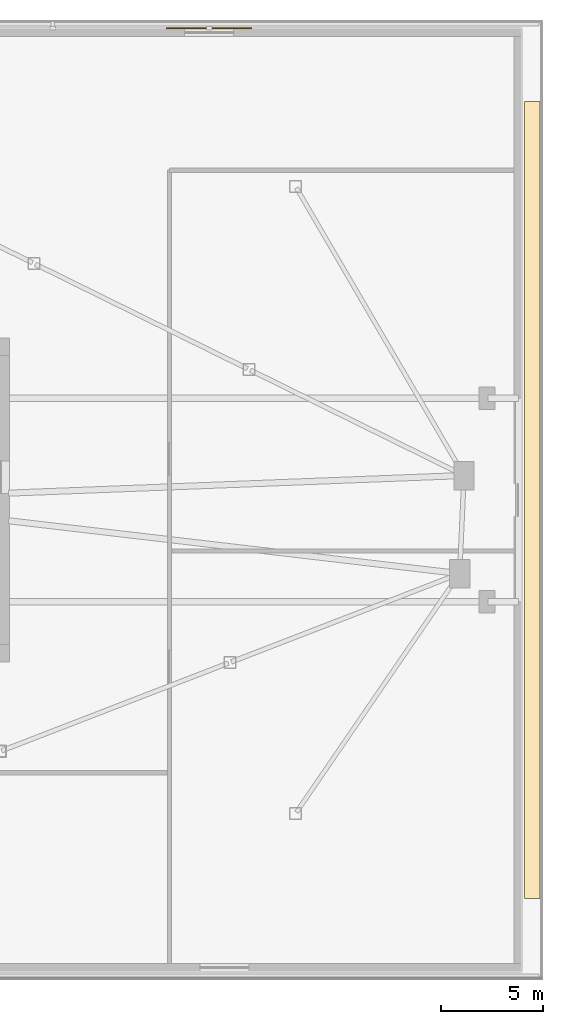
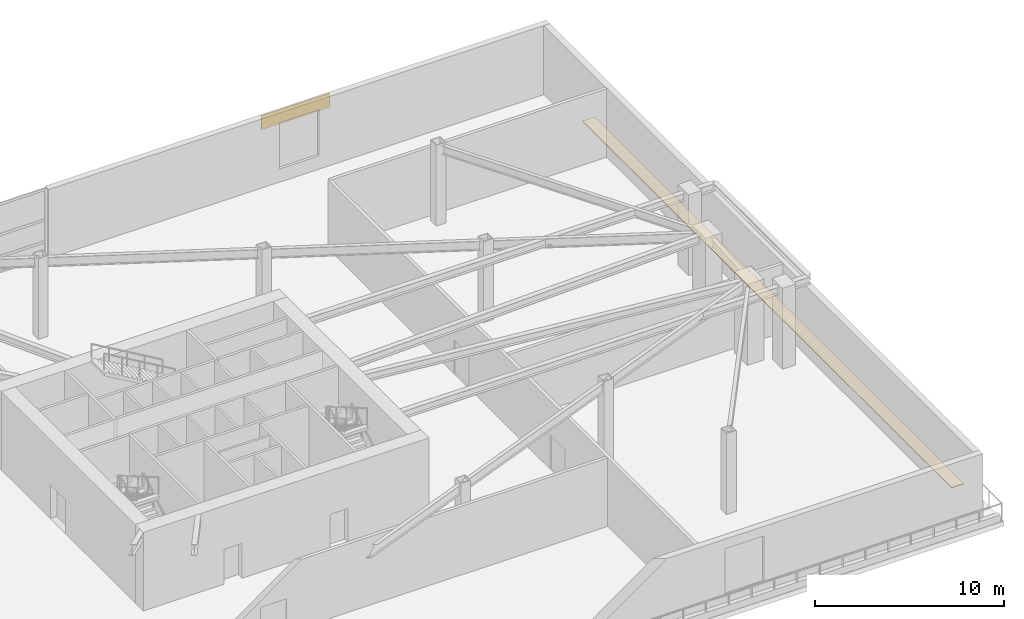
# One storey, part 15 of 15: 2 coverings.
"""IFC4 building model written with IfcOpenShell, lengths in metres."""

from ifc_helpers import new_model, si_unit, direction, frame, origin, origin_2d, place, context, subcontext, project, spatial, polyline, rectangle, outline, extrude, source, transform, mapped, material, layer, layer_set, type_object, element, save


model = new_model("IFC4")

# Units and contexts
model_context = context("Model", 3, precision=1e-05, world=origin(), true_north=direction((0.0, 1.0)))
body_context = subcontext(model_context, "Body", "Model", "MODEL_VIEW")
ifc_project = project(units=[si_unit("LENGTHUNIT", "METRE"), si_unit("AREAUNIT", "SQUARE_METRE"), si_unit("VOLUMEUNIT", "CUBIC_METRE"), si_unit("PLANEANGLEUNIT", "RADIAN"), si_unit("MASSUNIT", "GRAM", prefix="KILO")], contexts=[model_context])

# Site, building, storey
site_placement = place(None, origin())
site = spatial("IfcSite", under=ifc_project, at=site_placement, CompositionType="ELEMENT")
building_placement = place(site_placement, origin())
building = spatial("IfcBuilding", under=site, at=building_placement, Name="Olszyna Solenne Hotel", CompositionType="ELEMENT")
storey_placement = place(building_placement, frame((0.0, 0.0, 10.199951171875)))
storey = spatial("IfcBuildingStorey", under=building, at=storey_placement, Name="L02", CompositionType="ELEMENT", Elevation=10.199951171875)

# Coverings
ifc_material_1 = material(Name="EPDM waterproofing membrane")
ifc_layer_1 = layer(ifc_material_1, 0.06005859375, Name="EPDM waterproofing membrane")
ifc_layer_set_1 = layer_set([ifc_layer_1], Name="EPDM waterproofing membrane")
covering_type_1 = type_object("IfcCoveringType", Name="RF-MB1", PredefinedType="ROOFING", material=ifc_layer_set_1)
covering_1_placement = place(storey_placement, origin())
element("IfcCovering", 1, at=covering_1_placement, inside=storey, type_object=covering_type_1, Name="Terrace waterproofing membrane build-up RFM-L02", PredefinedType="ROOFING", context=body_context, shape_type="SweptSolid", body=[
    extrude(outline(polyline([(72.050048828125, 7.02001953125), (72.800048828125, 7.02001953125), (72.800048828125, 46.179931640625), (72.050048828125, 46.179931640625), (72.050048828125, 7.02001953125)])), origin(), (0.0, 0.0, 1.0), 0.06005859375),
])
ifc_material_2 = material(Name="Terracotta cladding", Category="masonry")
ifc_layer_2 = layer(ifc_material_2, 0.054931640625, Name="Terracotta cladding")
ifc_layer_set_2 = layer_set([ifc_layer_2], Name="Terracotta cladding")
covering_type_2 = type_object("IfcCoveringType", Name="CD-TC1", PredefinedType="CLADDING", material=ifc_layer_set_2)
shared_shape = source(origin(), body_context, "Body", "SweptSolid", [
    extrude(rectangle(XDim=4.199951171875, YDim=0.054931640625, at=origin_2d()), origin(), (0.0, 0.0, 1.0), 0.89990234375),
])
covering_2_placement = place(storey_placement, frame((56.550048828125, 49.782470703125, 3.47216796875), z_axis=(0.0, 0.0, 1.0), x_axis=(1.0, 0.0, 0.0)))
element("IfcCovering", 2, at=covering_2_placement, inside=storey, type_object=covering_type_2, Name="Fluted terracotta rainscreen band CD-L02-NE", PredefinedType="CLADDING", context=body_context, shape_type="MappedRepresentation", body=[
    mapped(shared_shape, transform((0.0, 0.0, 0.0), x_axis=(1.0, 0.0, 0.0), y_axis=(0.0, 1.0, 0.0), z_axis=(0.0, 0.0, 1.0), scale=1.0)),
])

save(model, "model.ifc")
